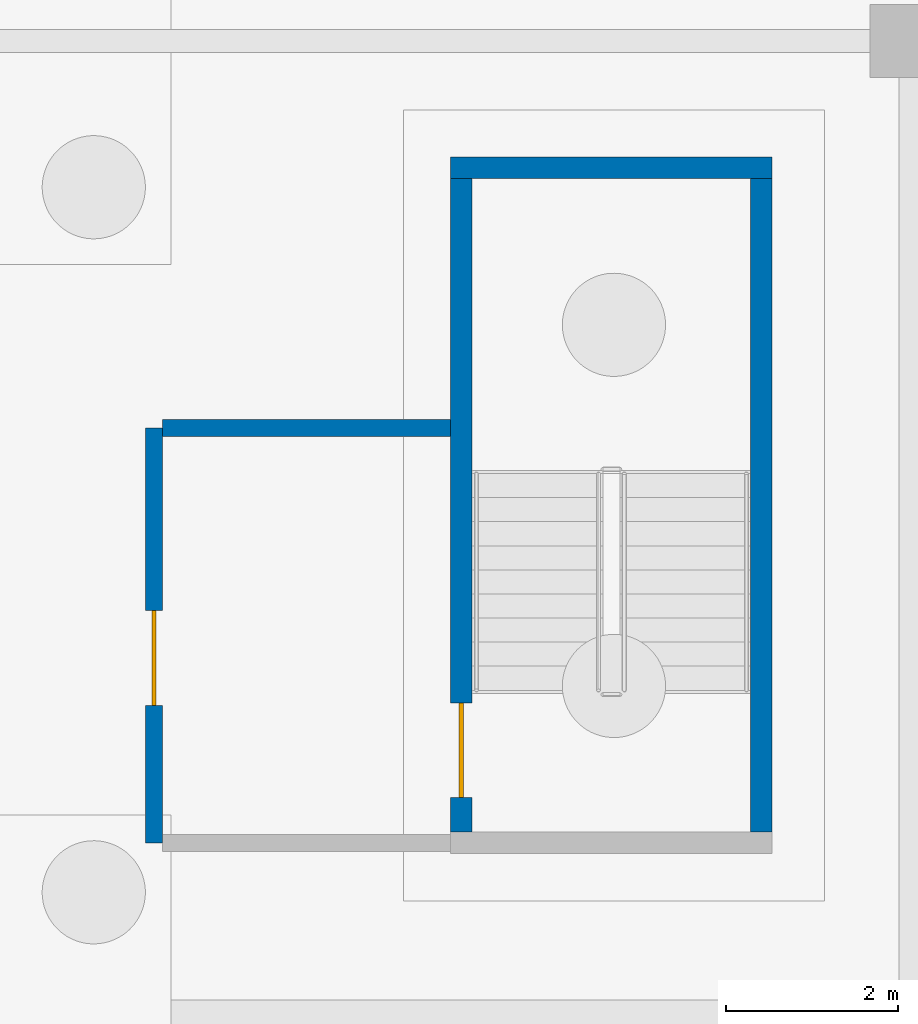
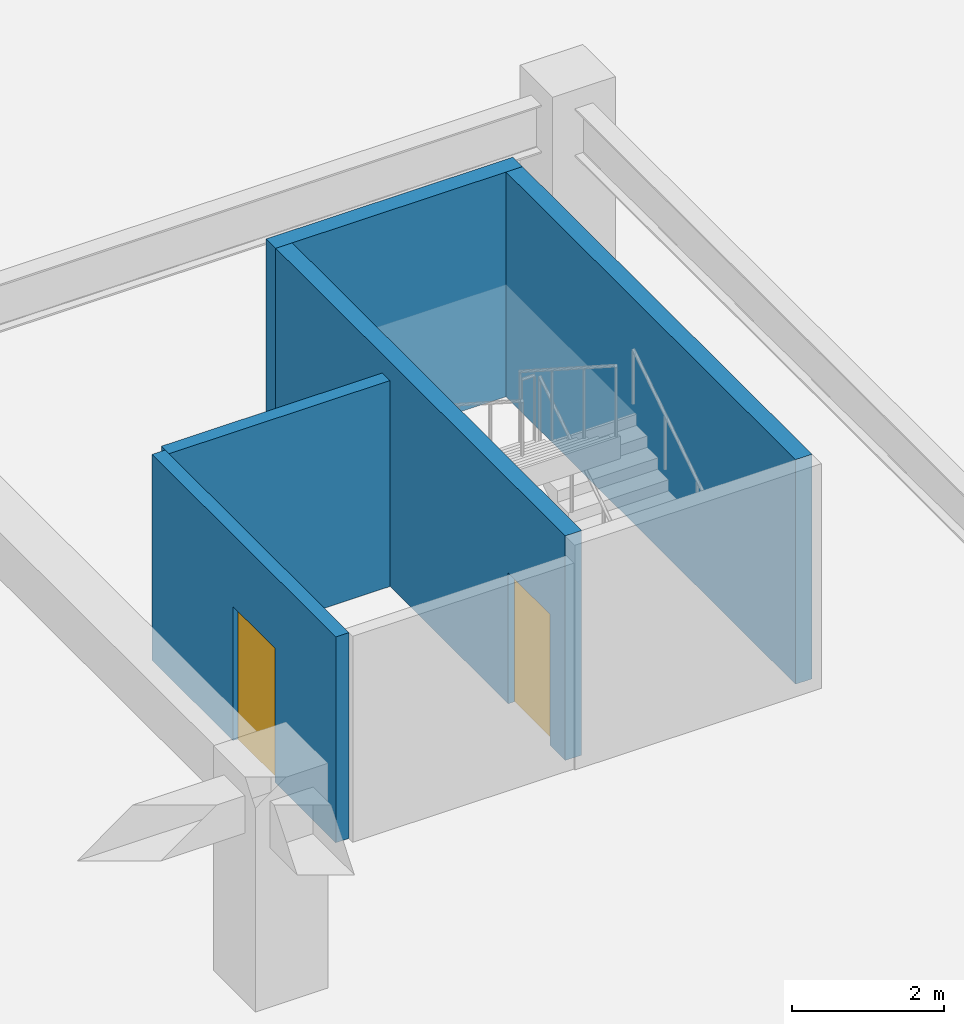
# One storey, part 17 of 26: 5 walls, 2 doors, 2 openings.
"""IFC4 building model written with IfcOpenShell, lengths in metres."""

from ifc_helpers import new_model, si_unit, direction, frame, frame_2d, origin, place, context, subcontext, project, spatial, rectangle, extrude, material, layer, layer_set, type_object, element, fill, save


model = new_model("IFC4")

# Units and contexts
model_context = context("Model", 3, precision=1e-05, world=origin(), true_north=direction((0.0, 1.0)))
body_context = subcontext(model_context, "Body", "Model", "MODEL_VIEW")
ifc_project = project(units=[si_unit("LENGTHUNIT", "METRE"), si_unit("AREAUNIT", "SQUARE_METRE"), si_unit("VOLUMEUNIT", "CUBIC_METRE"), si_unit("PLANEANGLEUNIT", "RADIAN"), si_unit("MASSUNIT", "GRAM", prefix="KILO")], contexts=[model_context])

# Site, building, storey
site_placement = place(None, origin())
site = spatial("IfcSite", under=ifc_project, at=site_placement, CompositionType="ELEMENT")
building_placement = place(site_placement, origin())
building = spatial("IfcBuilding", under=site, at=building_placement, Name="Korimba Cascade Residences", CompositionType="ELEMENT")
storey_placement = place(building_placement, frame((0.0, 0.0, -10.800048828125)))
storey = spatial("IfcBuildingStorey", under=building, at=storey_placement, Name="B03", CompositionType="ELEMENT", Elevation=-10.800048828125)

# Wall, opening, door
ifc_material_1 = material(Name="Concrete C40/50", Category="concrete")
ifc_layer_1 = layer(ifc_material_1, 0.199951171875)
ifc_layer_set_1 = layer_set([ifc_layer_1], Name="Concrete C40/50")
wall_type_1 = type_object("IfcWallType", Name="WAL-PART-200", PredefinedType="PARTITIONING", material=ifc_layer_set_1)
wall_1_placement = place(storey_placement, frame((130.800048828125, 81.875, 0.0), z_axis=(0.0, 0.0, 1.0), x_axis=(0.0, 1.0, 0.0)))
wall_1 = element("IfcWall", 1, at=wall_1_placement, inside=storey, type_object=wall_type_1, Name="B03 Partition Wall CW-B03-PL4W", PredefinedType="PARTITIONING", context=body_context, shape_type="SweptSolid", body=[
    extrude(rectangle(XDim=4.824951171875, YDim=0.199951171875, at=frame_2d((2.41259765625, 0.0))), origin(), (0.0, 0.0, 1.0), 3.300048828125),
])
opening_1_placement = place(wall_1_placement, frame((1.60009765625, 0.0, 0.0)))
opening_1 = element("IfcOpeningElement", 2, at=opening_1_placement, cuts=wall_1, Name="Opening D-FD6", PredefinedType="OPENING", context=body_context, shape_type="SweptSolid", body=[
    extrude(rectangle(XDim=1.10009765625, YDim=2.14990234375, at=frame_2d((0.550048828125, 1.074951171875))), frame((0.0, 0.10986328125, 0.0), z_axis=(0.0, -1.0, 0.0), x_axis=(1.0, 0.0, 0.0)), (0.0, 0.0, 1.0), 0.219970703125),
])
ifc_material_2 = material(Name="Fire-Rated Timber Stair Lobby Door", Category="wood")
door_type_1 = type_object("IfcDoorType", Name="DR-FD90-1100", OperationType="NOTDEFINED", PredefinedType="DOOR", material=ifc_material_2)
door_1_placement = place(opening_1_placement, origin())
door_1 = element("IfcDoor", 3, at=door_1_placement, inside=storey, type_object=door_type_1, Name="B03 North-East Stair Vestibule Door", OperationType="SINGLE_SWING_RIGHT", OverallHeight=2.14990234375, OverallWidth=1.10009765625, PredefinedType="DOOR", context=body_context, shape_type="SweptSolid", body=[
    extrude(rectangle(XDim=1.10009765625, YDim=2.14990234375, at=frame_2d((0.550048828125, 1.074951171875))), frame((0.0, 0.02490234375, 0.0), z_axis=(0.0, -1.0, 0.0), x_axis=(1.0, 0.0, 0.0)), (0.0, 0.0, 1.0), 0.050048828125),
])
fill(opening_1, door_1)

# Wall
wall_2_placement = place(storey_placement, frame((130.89990234375, 86.699951171875, 0.0), z_axis=(0.0, 0.0, 1.0), x_axis=(1.0, 0.0, 0.0)))
element("IfcWall", 4, at=wall_2_placement, inside=storey, type_object=wall_type_1, Name="B03 Partition Wall CW-B03-PL4N", PredefinedType="PARTITIONING", context=body_context, shape_type="SweptSolid", body=[
    extrude(rectangle(XDim=3.35009765625, YDim=0.199951171875, at=frame_2d((1.675048828125, 0.0))), origin(), (0.0, 0.0, 1.0), 3.300048828125),
])

# Wall, opening, door
ifc_material_3 = material(Name="Concrete C50/60", Category="concrete")
ifc_layer_2 = layer(ifc_material_3, 0.25)
ifc_layer_set_2 = layer_set([ifc_layer_2], Name="Concrete C50/60")
wall_type_2 = type_object("IfcWallType", Name="WAL-SHAFT-250", PredefinedType="SHEAR", material=ifc_layer_set_2)
wall_3_placement = place(storey_placement, frame((134.375, 82.0, 0.0), z_axis=(0.0, 0.0, 1.0), x_axis=(0.0, 1.0, 0.0)))
wall_3 = element("IfcWall", 5, at=wall_3_placement, inside=storey, type_object=wall_type_2, Name="B03 Core Shear Wall CW-B03-STP4W", PredefinedType="SHEAR", context=body_context, shape_type="SweptSolid", body=[
    extrude(rectangle(XDim=7.60009765625, YDim=0.25, at=frame_2d((3.800048828125, 0.0))), origin(), (0.0, 0.0, 1.0), 3.60009765625),
])
opening_2_placement = place(wall_3_placement, frame((0.39990234375, 0.0, 0.0)))
opening_2 = element("IfcOpeningElement", 6, at=opening_2_placement, cuts=wall_3, Name="Opening D-FD1", PredefinedType="OPENING", context=body_context, shape_type="SweptSolid", body=[
    extrude(rectangle(XDim=1.10009765625, YDim=2.10009765625, at=frame_2d((0.550048828125, 1.050048828125))), frame((0.0, 0.135009765625, 0.0), z_axis=(0.0, -1.0, 0.0), x_axis=(1.0, 0.0, 0.0)), (0.0, 0.0, 1.0), 0.27001953125),
])
ifc_material_4 = material(Name="Fire-Rated Steel Core Door", Category="steel")
door_type_2 = type_object("IfcDoorType", Name="DR-FD120-1100", OperationType="NOTDEFINED", PredefinedType="DOOR", material=ifc_material_4)
door_2_placement = place(opening_2_placement, origin())
door_2 = element("IfcDoor", 7, at=door_2_placement, inside=storey, type_object=door_type_2, Name="B03 Podium Stair ST-P4 Door", OperationType="SINGLE_SWING_LEFT", OverallHeight=2.10009765625, OverallWidth=1.10009765625, PredefinedType="DOOR", context=body_context, shape_type="SweptSolid", body=[
    extrude(rectangle(XDim=1.10009765625, YDim=2.10009765625, at=frame_2d((0.550048828125, 1.050048828125))), frame((0.0, 0.02490234375, 0.0), z_axis=(0.0, -1.0, 0.0), x_axis=(1.0, 0.0, 0.0)), (0.0, 0.0, 1.0), 0.050048828125),
])
fill(opening_2, door_2)

# Walls
wall_4_placement = place(storey_placement, frame((137.864990234375, 82.0, 0.0), z_axis=(0.0, 0.0, 1.0), x_axis=(0.0, 1.0, 0.0)))
element("IfcWall", 8, at=wall_4_placement, inside=storey, type_object=wall_type_2, Name="B03 Core Shear Wall CW-B03-STP4E", PredefinedType="SHEAR", context=body_context, shape_type="SweptSolid", body=[
    extrude(rectangle(XDim=7.60009765625, YDim=0.25, at=frame_2d((3.800048828125, 0.0))), origin(), (0.0, 0.0, 1.0), 3.60009765625),
])
wall_5_placement = place(storey_placement, frame((134.25, 89.72509765625, 0.0), z_axis=(0.0, 0.0, 1.0), x_axis=(1.0, 0.0, 0.0)))
element("IfcWall", 9, at=wall_5_placement, inside=storey, type_object=wall_type_2, Name="B03 Core Shear Wall CW-B03-STP4N", PredefinedType="SHEAR", context=body_context, shape_type="SweptSolid", body=[
    extrude(rectangle(XDim=3.739990234375, YDim=0.25, at=frame_2d((1.8701171875, 0.0))), origin(), (0.0, 0.0, 1.0), 3.60009765625),
])

save(model, "model.ifc")
